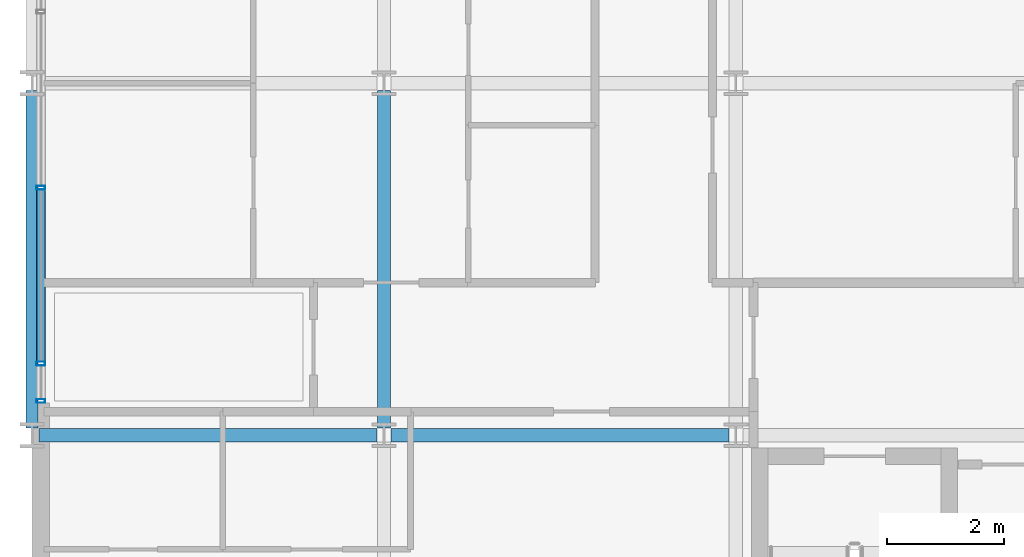
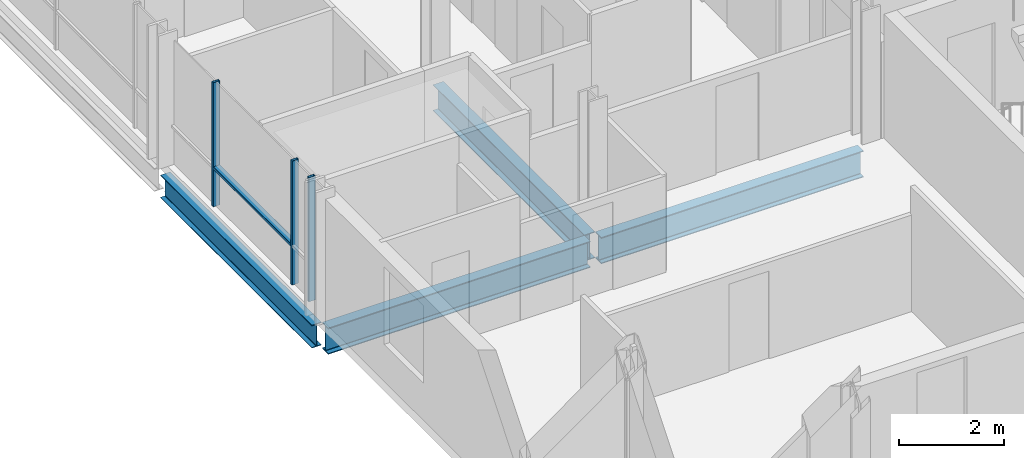
# One storey, part 2 of 40: 4 beams, 4 members, 1 element without a shape of its own.
"""IFC4 building model written with IfcOpenShell, lengths in metres."""

from ifc_helpers import new_model, si_unit, direction, frame, origin, origin_2d, place, context, subcontext, project, spatial, hollow_rectangle, i_section, extrude, material, layer, layer_set, material_profile, profile_set, type_object, element, aggregate, save


model = new_model("IFC4")

# Units and contexts
model_context = context("Model", 3, precision=1e-05, world=origin(), true_north=direction((0.0, 1.0)))
body_context = subcontext(model_context, "Body", "Model", "MODEL_VIEW")
ifc_project = project(units=[si_unit("LENGTHUNIT", "METRE"), si_unit("AREAUNIT", "SQUARE_METRE"), si_unit("VOLUMEUNIT", "CUBIC_METRE"), si_unit("PLANEANGLEUNIT", "RADIAN"), si_unit("MASSUNIT", "GRAM", prefix="KILO")], contexts=[model_context])

# Site, building, storey
site_placement = place(None, origin())
site = spatial("IfcSite", under=ifc_project, at=site_placement, CompositionType="ELEMENT")
building_placement = place(site_placement, origin())
building = spatial("IfcBuilding", under=site, at=building_placement, Name="Brevholm Reach", CompositionType="ELEMENT")
storey_placement = place(building_placement, frame((0.0, 0.0, 125.199951171875)))
storey = spatial("IfcBuildingStorey", under=building, at=storey_placement, Name="L37", CompositionType="ELEMENT", Elevation=125.199951171875)

# Beams
ifc_material_1 = material(Name="Structural Steel S355J2", Category="steel")
ifc_material_profile_1 = material_profile(ifc_material_1, i_section(OverallWidth=0.209228515625, OverallDepth=0.533203125, WebThickness=0.010009765625, FlangeThickness=0.015625, FilletRadius=0.0126953125, at=origin_2d()), Name="UKB 533x210x92")
ifc_profile_set_1 = profile_set([ifc_material_profile_1], Name="Structural Steel S355J2")
beam_type_1 = type_object("IfcBeamType", Name="BM-SP533", PredefinedType="SPANDREL", material=ifc_profile_set_1)
beam_placement = place(storey_placement, frame((0.0, 10.1201171875, -0.486572265625), z_axis=(0.0, 1.0, 0.0), x_axis=(-1.0, 0.0, 0.0)))
element("IfcBeam", 1, at=beam_placement, inside=storey, type_object=beam_type_1, Name="L37 SP-02 Framing Beam", PredefinedType="SPANDREL", context=body_context, shape_type="SweptSolid", body=[
    extrude(i_section(OverallWidth=0.209228515625, OverallDepth=0.533203125, WebThickness=0.010009765625, FlangeThickness=0.015625, FilletRadius=0.0126953125, at=origin_2d()), origin(), (0.0, 0.0, 1.0), 5.759765625),
])
ifc_material_2 = material(Name="Structural Steel S355J2", Category="steel")
ifc_material_profile_2 = material_profile(ifc_material_2, i_section(OverallWidth=0.22900390625, OverallDepth=0.6123046875, WebThickness=0.011962890625, FlangeThickness=0.01953125, FilletRadius=0.0126953125, at=origin_2d()), Name="UKB 610x229x125")
ifc_profile_set_2 = profile_set([ifc_material_profile_2], Name="Structural Steel S355J2")
beam_type_2 = type_object("IfcBeamType", Name="BM-SP610", PredefinedType="SPANDREL", material=ifc_profile_set_2)
for number, where, z_axis, x_axis, name in (
    (2, (0.1201171875, 10.0, -0.526123046875), (1.0, 0.0, 0.0), (0.0, 1.0, 0.0), "L37 SP-01 Framing Beam"),
    (3, (6.1201171875, 10.0, -0.526123046875), (1.0, 0.0, 0.0), (0.0, 1.0, 0.0), "L37 SP-01 Framing Beam"),
    (4, (6.0, 10.1201171875, -0.526123046875), (0.0, 1.0, 0.0), (-1.0, 0.0, 0.0), "L37 SP-01 Framing Beam"),
):
    element("IfcBeam", number, at=place(storey_placement, frame(where, z_axis=z_axis, x_axis=x_axis)), inside=storey, type_object=beam_type_2, Name=name, PredefinedType="SPANDREL", context=body_context, shape_type="SweptSolid", body=[
        extrude(i_section(OverallWidth=0.22900390625, OverallDepth=0.6123046875, WebThickness=0.011962890625, FlangeThickness=0.01953125, FilletRadius=0.0126953125, at=origin_2d()), origin(), (0.0, 0.0, 1.0), 5.759765625),
    ])

# Curtain wall, members
ifc_material_3 = material(Name="Dark Anodised Aluminium 6063-T6 and Solar-Control Glass", Category="aluminium")
ifc_layer = layer(ifc_material_3, 0.14990234375)
ifc_layer_set = layer_set([ifc_layer], Name="Dark Anodised Aluminium 6063-T6 and Solar-Control Glass")
curtain_wall_type = type_object("IfcCurtainWallType", Name="CW-01", PredefinedType="NOTDEFINED", material=ifc_layer_set)
curtain_wall_placement = place(storey_placement, origin())
curtain_wall = element("IfcCurtainWall", 5, at=curtain_wall_placement, inside=storey, type_object=curtain_wall_type, Name="L37 Curtain Wall CW-01", PredefinedType="NOTDEFINED")
ifc_material_4 = material(Name="Dark Anodised Aluminium 6063-T6", Category="aluminium")
ifc_material_profile_3 = material_profile(ifc_material_4, hollow_rectangle(XDim=0.06494140625, YDim=0.14990234375, WallThickness=0.0048828125, InnerFilletRadius=0.0048828125, OuterFilletRadius=0.010009765625, at=origin_2d()), Name="RHS 150x65x5")
ifc_profile_set_3 = profile_set([ifc_material_profile_3], Name="Dark Anodised Aluminium 6063-T6")
member_type_1 = type_object("IfcMemberType", Name="CWM-150", PredefinedType="MULLION", material=ifc_profile_set_3)
member_1_placement = place(storey_placement, frame((0.14990234375, 14.219970703125, 0.0), z_axis=(0.0, 0.0, 1.0), x_axis=(0.0, -1.0, 0.0)))
member_1 = element("IfcMember", 6, at=member_1_placement, type_object=member_type_1, Name="CM-150 Mullion 4", PredefinedType="MULLION", context=body_context, shape_type="SweptSolid", body=[
    extrude(hollow_rectangle(XDim=0.06494140625, YDim=0.14990234375, WallThickness=0.0048828125, InnerFilletRadius=0.0048828125, OuterFilletRadius=0.010009765625, at=origin_2d()), origin(), (0.0, 0.0, 1.0), 2.880126953125),
])
member_2_placement = place(storey_placement, frame((0.14990234375, 11.219970703125, 0.0), z_axis=(0.0, 0.0, 1.0), x_axis=(0.0, -1.0, 0.0)))
member_2 = element("IfcMember", 7, at=member_2_placement, type_object=member_type_1, Name="CM-150 Mullion 5", PredefinedType="MULLION", context=body_context, shape_type="SweptSolid", body=[
    extrude(hollow_rectangle(XDim=0.06494140625, YDim=0.14990234375, WallThickness=0.0048828125, InnerFilletRadius=0.0048828125, OuterFilletRadius=0.010009765625, at=origin_2d()), origin(), (0.0, 0.0, 1.0), 2.880126953125),
])
member_3_placement = place(storey_placement, frame((0.14990234375, 10.58251953125, 0.0), z_axis=(0.0, 0.0, 1.0), x_axis=(0.0, -1.0, 0.0)))
member_3 = element("IfcMember", 8, at=member_3_placement, type_object=member_type_1, Name="CM-150 Mullion 6", PredefinedType="MULLION", context=body_context, shape_type="SweptSolid", body=[
    extrude(hollow_rectangle(XDim=0.06494140625, YDim=0.14990234375, WallThickness=0.0048828125, InnerFilletRadius=0.0048828125, OuterFilletRadius=0.010009765625, at=origin_2d()), origin(), (0.0, 0.0, 1.0), 2.880126953125),
])
ifc_material_5 = material(Name="Dark Anodised Aluminium 6063-T6", Category="aluminium")
ifc_material_profile_4 = material_profile(ifc_material_5, hollow_rectangle(XDim=0.06494140625, YDim=0.14990234375, WallThickness=0.0048828125, InnerFilletRadius=0.0048828125, OuterFilletRadius=0.010009765625, at=origin_2d()), Name="RHS 150x65x5")
ifc_profile_set_4 = profile_set([ifc_material_profile_4], Name="Dark Anodised Aluminium 6063-T6")
member_type_2 = type_object("IfcMemberType", Name="CWT-150", PredefinedType="NOTDEFINED", material=ifc_profile_set_4)
member_4_placement = place(storey_placement, frame((0.14990234375, 14.1875, 0.900146484375), z_axis=(0.0, -1.0, 0.0), x_axis=(0.0, 0.0, 1.0)))
member_4 = element("IfcMember", 9, at=member_4_placement, type_object=member_type_2, Name="CT-150 Transom 4.1", ObjectType="TRANSOM", PredefinedType="USERDEFINED", context=body_context, shape_type="SweptSolid", body=[
    extrude(hollow_rectangle(XDim=0.06494140625, YDim=0.14990234375, WallThickness=0.0048828125, InnerFilletRadius=0.0048828125, OuterFilletRadius=0.010009765625, at=origin_2d()), origin(), (0.0, 0.0, 1.0), 2.93505859375),
])
aggregate(curtain_wall, [member_1, member_2, member_3, member_4])

save(model, "model.ifc")
